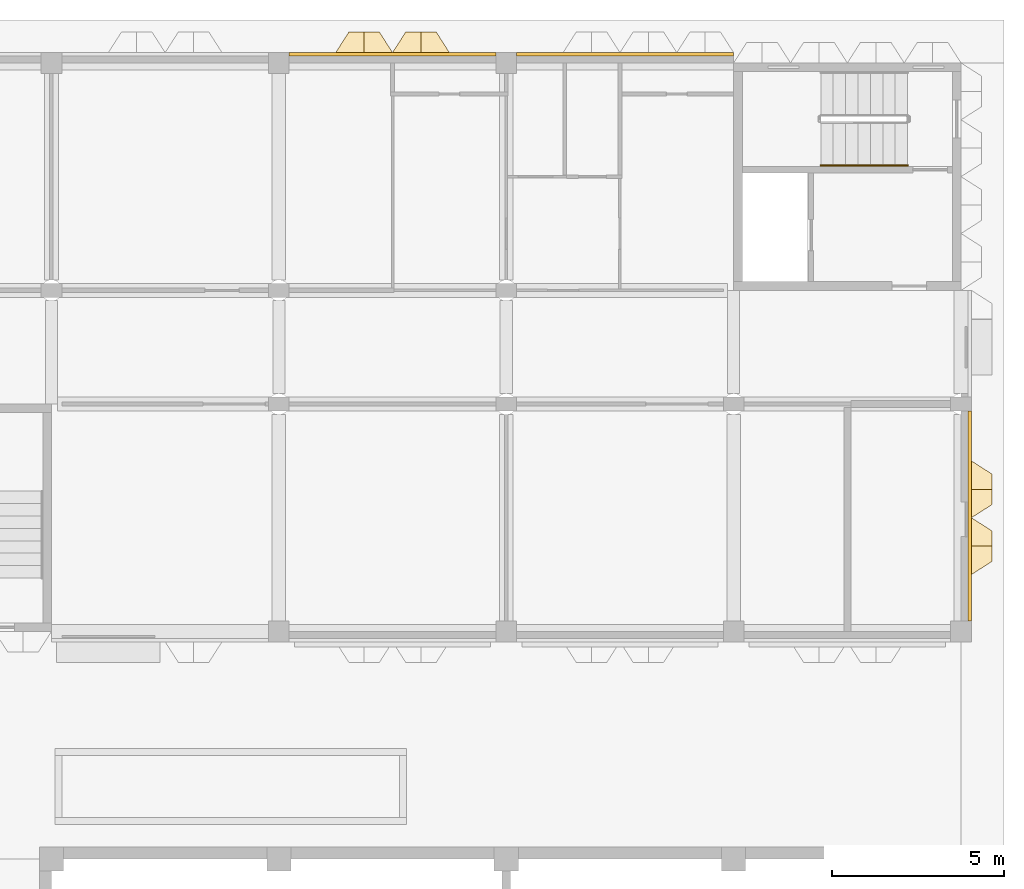
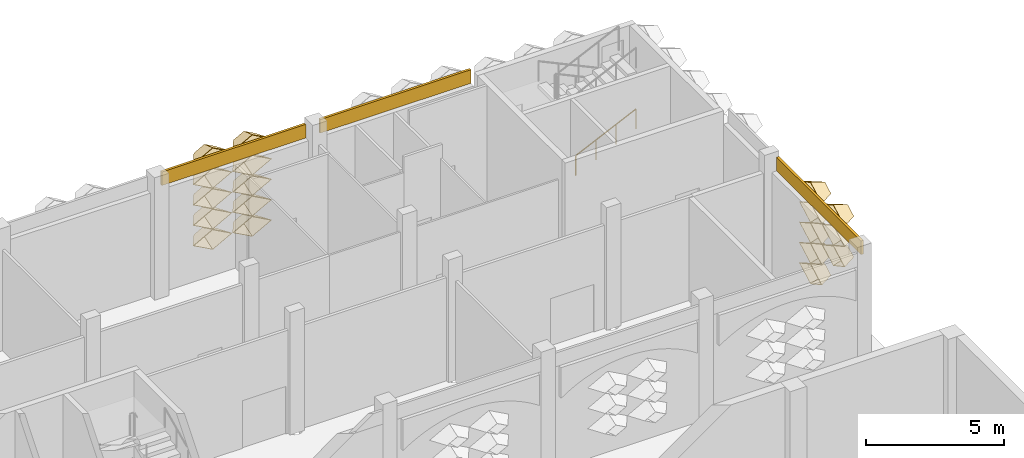
# One storey, part 81 of 85: 21 coverings, 1 railing.
"""IFC4 building model written with IfcOpenShell, lengths in metres."""

from ifc_helpers import new_model, entity, si_unit, direction, frame, frame_2d, origin, origin_2d, place, context, subcontext, project, spatial, rectangle, circle, extrude, material, layer, layer_set, type_object, element, save


model = new_model("IFC4")

# Units and contexts
model_context = context("Model", 3, precision=1e-05, world=origin(), true_north=direction((0.0, 1.0)))
body_context = subcontext(model_context, "Body", "Model", "MODEL_VIEW")
ifc_project = project(units=[si_unit("LENGTHUNIT", "METRE"), si_unit("AREAUNIT", "SQUARE_METRE"), si_unit("VOLUMEUNIT", "CUBIC_METRE"), si_unit("PLANEANGLEUNIT", "RADIAN"), si_unit("MASSUNIT", "GRAM", prefix="KILO")], contexts=[model_context])

# Site, building, storey
site_placement = place(None, origin())
site = spatial("IfcSite", under=ifc_project, at=site_placement, CompositionType="ELEMENT")
building_placement = place(site_placement, origin())
building = spatial("IfcBuilding", under=site, at=building_placement, Name="Lantern Court Research Institute", CompositionType="ELEMENT")
storey_placement = place(building_placement, origin())
storey = spatial("IfcBuildingStorey", under=building, at=storey_placement, Name="L00", CompositionType="ELEMENT", Elevation=0.0)

# Coverings
ifc_material_1 = material(Name="Aluminium composite panel with mineral wool insulation", Category="aluminium")
ifc_layer_1 = layer(ifc_material_1, 0.10009765625)
ifc_layer_set_1 = layer_set([ifc_layer_1], Name="Aluminium composite panel with mineral wool insulation")
covering_type_1 = type_object("IfcCoveringType", Name="Edge fascia panel 100 aluminium faced", PredefinedType="CLADDING", material=ifc_layer_set_1)
covering_1_placement = place(storey_placement, frame((79.449951171875, 88.89990234375, 4.550048828125), z_axis=(0.0, 0.0, 1.0), x_axis=(0.0, -1.0, 0.0)))
element("IfcCovering", 1, at=covering_1_placement, inside=storey, type_object=covering_type_1, Name="Edge fascia V6E L00 01", PredefinedType="CLADDING", context=body_context, shape_type="SweptSolid", body=[
    extrude(rectangle(XDim=6.099853515625, YDim=0.10009765625, at=frame_2d((3.0498046875, 0.0))), origin(), (0.0, 0.0, 1.0), 0.599853515625),
])
covering_2_placement = place(storey_placement, frame((59.699951171875, 99.25, 4.550048828125), z_axis=(0.0, 0.0, 1.0), x_axis=(1.0, 0.0, 0.0)))
element("IfcCovering", 2, at=covering_2_placement, inside=storey, type_object=covering_type_1, Name="Edge fascia V6N L00 09", PredefinedType="CLADDING", context=body_context, shape_type="SweptSolid", body=[
    extrude(rectangle(XDim=6.0, YDim=0.10009765625, at=frame_2d((3.0, 0.0))), origin(), (0.0, 0.0, 1.0), 0.599853515625),
])
covering_3_placement = place(storey_placement, frame((66.300048828125, 99.25, 4.550048828125), z_axis=(0.0, 0.0, 1.0), x_axis=(1.0, 0.0, 0.0)))
element("IfcCovering", 3, at=covering_3_placement, inside=storey, type_object=covering_type_1, Name="Edge fascia V6N L00 10", PredefinedType="CLADDING", context=body_context, shape_type="SweptSolid", body=[
    extrude(rectangle(XDim=6.300048828125, YDim=0.10009765625, at=frame_2d((3.14990234375, 0.0))), origin(), (0.0, 0.0, 1.0), 0.599853515625),
])
ifc_material_2 = material(Name="Anodised aluminium", Category="aluminium")
ifc_layer_2 = layer(ifc_material_2, 0.01611328125)
ifc_layer_set_2 = layer_set([ifc_layer_2], Name="Anodised aluminium")
covering_type_2 = type_object("IfcCoveringType", Name="Fin cassette 1650 x 900 x 600 aluminium", PredefinedType="CLADDING", material=ifc_layer_set_2)
covering_4_placement = place(storey_placement, frame((79.5, 86.625, 1.35009765625), z_axis=(1.0, 0.0, 0.0), x_axis=(0.0, 1.0, 0.0)))
cartesian_point_1 = entity("IfcCartesianPoint", [0.824951171875, 0.0])
cartesian_point_2 = entity("IfcCartesianPoint", [0.79150390625, 0.0])
cartesian_point_3 = entity("IfcCartesianPoint", [0.44189453125, 0.0])
cartesian_point_4 = entity("IfcCartesianPoint", [0.43359375, 0.0])
element("IfcCovering", 4, at=covering_4_placement, inside=storey, type_object=covering_type_2, Name="Fin cassette V6E-L00 2.53", PredefinedType="CLADDING", context=body_context, shape_type="SweptSolid", body=[
    entity("IfcExtrudedAreaSolidTapered", entity("IfcArbitraryProfileDefWithVoids", "AREA", None, entity("IfcPolyline", [cartesian_point_1, entity("IfcCartesianPoint", [0.0, 0.449951171875]), entity("IfcCartesianPoint", [-0.824951171875, 0.0]), entity("IfcCartesianPoint", [0.0, -0.449951171875]), cartesian_point_1]), [entity("IfcPolyline", [cartesian_point_2, entity("IfcCartesianPoint", [0.0, 0.431884765625]), entity("IfcCartesianPoint", [-0.79150390625, 0.0]), entity("IfcCartesianPoint", [0.0, -0.431884765625]), cartesian_point_2])]), entity("IfcAxis2Placement3D", entity("IfcCartesianPoint", [0.0, 0.0, 0.0])), entity("IfcDirection", [0.0, 0.0, 1.0]), 0.60009765625, entity("IfcArbitraryProfileDefWithVoids", "AREA", None, entity("IfcPolyline", [cartesian_point_3, entity("IfcCartesianPoint", [0.0, 0.240966796875]), entity("IfcCartesianPoint", [-0.44189453125, 0.0]), entity("IfcCartesianPoint", [0.0, -0.240966796875]), cartesian_point_3]), [entity("IfcPolyline", [cartesian_point_4, entity("IfcCartesianPoint", [0.0, 0.236572265625]), entity("IfcCartesianPoint", [-0.43359375, 0.0]), entity("IfcCartesianPoint", [0.0, -0.236572265625]), cartesian_point_4])])),
])
covering_5_placement = place(storey_placement, frame((79.5, 86.625, 2.25), z_axis=(1.0, 0.0, 0.0), x_axis=(0.0, 1.0, 0.0)))
cartesian_point_5 = entity("IfcCartesianPoint", [0.824951171875, 0.0])
cartesian_point_6 = entity("IfcCartesianPoint", [0.79150390625, 0.0])
cartesian_point_7 = entity("IfcCartesianPoint", [0.44189453125, 0.0])
cartesian_point_8 = entity("IfcCartesianPoint", [0.43359375, 0.0])
element("IfcCovering", 5, at=covering_5_placement, inside=storey, type_object=covering_type_2, Name="Fin cassette V6E-L00 3.53", PredefinedType="CLADDING", context=body_context, shape_type="SweptSolid", body=[
    entity("IfcExtrudedAreaSolidTapered", entity("IfcArbitraryProfileDefWithVoids", "AREA", None, entity("IfcPolyline", [cartesian_point_5, entity("IfcCartesianPoint", [0.0, 0.449951171875]), entity("IfcCartesianPoint", [-0.824951171875, 0.0]), entity("IfcCartesianPoint", [0.0, -0.449951171875]), cartesian_point_5]), [entity("IfcPolyline", [cartesian_point_6, entity("IfcCartesianPoint", [0.0, 0.431884765625]), entity("IfcCartesianPoint", [-0.79150390625, 0.0]), entity("IfcCartesianPoint", [0.0, -0.431884765625]), cartesian_point_6])]), entity("IfcAxis2Placement3D", entity("IfcCartesianPoint", [0.0, 0.0, 0.0])), entity("IfcDirection", [0.0, 0.0, 1.0]), 0.60009765625, entity("IfcArbitraryProfileDefWithVoids", "AREA", None, entity("IfcPolyline", [cartesian_point_7, entity("IfcCartesianPoint", [0.0, 0.240966796875]), entity("IfcCartesianPoint", [-0.44189453125, 0.0]), entity("IfcCartesianPoint", [0.0, -0.240966796875]), cartesian_point_7]), [entity("IfcPolyline", [cartesian_point_8, entity("IfcCartesianPoint", [0.0, 0.236572265625]), entity("IfcCartesianPoint", [-0.43359375, 0.0]), entity("IfcCartesianPoint", [0.0, -0.236572265625]), cartesian_point_8])])),
])
covering_6_placement = place(storey_placement, frame((79.5, 84.97509765625, 3.14990234375), z_axis=(1.0, 0.0, 0.0), x_axis=(0.0, 1.0, 0.0)))
cartesian_point_9 = entity("IfcCartesianPoint", [0.824951171875, 0.0])
cartesian_point_10 = entity("IfcCartesianPoint", [0.79150390625, 0.0])
cartesian_point_11 = entity("IfcCartesianPoint", [0.44189453125, 0.0])
cartesian_point_12 = entity("IfcCartesianPoint", [0.43359375, 0.0])
element("IfcCovering", 6, at=covering_6_placement, inside=storey, type_object=covering_type_2, Name="Fin cassette V6E-L00 4.52", PredefinedType="CLADDING", context=body_context, shape_type="SweptSolid", body=[
    entity("IfcExtrudedAreaSolidTapered", entity("IfcArbitraryProfileDefWithVoids", "AREA", None, entity("IfcPolyline", [cartesian_point_9, entity("IfcCartesianPoint", [0.0, 0.449951171875]), entity("IfcCartesianPoint", [-0.824951171875, 0.0]), entity("IfcCartesianPoint", [0.0, -0.449951171875]), cartesian_point_9]), [entity("IfcPolyline", [cartesian_point_10, entity("IfcCartesianPoint", [0.0, 0.431884765625]), entity("IfcCartesianPoint", [-0.79150390625, 0.0]), entity("IfcCartesianPoint", [0.0, -0.431884765625]), cartesian_point_10])]), entity("IfcAxis2Placement3D", entity("IfcCartesianPoint", [0.0, 0.0, 0.0])), entity("IfcDirection", [0.0, 0.0, 1.0]), 0.60009765625, entity("IfcArbitraryProfileDefWithVoids", "AREA", None, entity("IfcPolyline", [cartesian_point_11, entity("IfcCartesianPoint", [0.0, 0.240966796875]), entity("IfcCartesianPoint", [-0.44189453125, 0.0]), entity("IfcCartesianPoint", [0.0, -0.240966796875]), cartesian_point_11]), [entity("IfcPolyline", [cartesian_point_12, entity("IfcCartesianPoint", [0.0, 0.236572265625]), entity("IfcCartesianPoint", [-0.43359375, 0.0]), entity("IfcCartesianPoint", [0.0, -0.236572265625]), cartesian_point_12])])),
])
covering_7_placement = place(storey_placement, frame((79.5, 86.625, 3.14990234375), z_axis=(1.0, 0.0, 0.0), x_axis=(0.0, 1.0, 0.0)))
cartesian_point_13 = entity("IfcCartesianPoint", [0.824951171875, 0.0])
cartesian_point_14 = entity("IfcCartesianPoint", [0.79150390625, 0.0])
cartesian_point_15 = entity("IfcCartesianPoint", [0.44189453125, 0.0])
cartesian_point_16 = entity("IfcCartesianPoint", [0.43359375, 0.0])
element("IfcCovering", 7, at=covering_7_placement, inside=storey, type_object=covering_type_2, Name="Fin cassette V6E-L00 4.53", PredefinedType="CLADDING", context=body_context, shape_type="SweptSolid", body=[
    entity("IfcExtrudedAreaSolidTapered", entity("IfcArbitraryProfileDefWithVoids", "AREA", None, entity("IfcPolyline", [cartesian_point_13, entity("IfcCartesianPoint", [0.0, 0.449951171875]), entity("IfcCartesianPoint", [-0.824951171875, 0.0]), entity("IfcCartesianPoint", [0.0, -0.449951171875]), cartesian_point_13]), [entity("IfcPolyline", [cartesian_point_14, entity("IfcCartesianPoint", [0.0, 0.431884765625]), entity("IfcCartesianPoint", [-0.79150390625, 0.0]), entity("IfcCartesianPoint", [0.0, -0.431884765625]), cartesian_point_14])]), entity("IfcAxis2Placement3D", entity("IfcCartesianPoint", [0.0, 0.0, 0.0])), entity("IfcDirection", [0.0, 0.0, 1.0]), 0.60009765625, entity("IfcArbitraryProfileDefWithVoids", "AREA", None, entity("IfcPolyline", [cartesian_point_15, entity("IfcCartesianPoint", [0.0, 0.240966796875]), entity("IfcCartesianPoint", [-0.44189453125, 0.0]), entity("IfcCartesianPoint", [0.0, -0.240966796875]), cartesian_point_15]), [entity("IfcPolyline", [cartesian_point_16, entity("IfcCartesianPoint", [0.0, 0.236572265625]), entity("IfcCartesianPoint", [-0.43359375, 0.0]), entity("IfcCartesianPoint", [0.0, -0.236572265625]), cartesian_point_16])])),
])
covering_8_placement = place(storey_placement, frame((79.5, 84.97509765625, 4.050048828125), z_axis=(1.0, 0.0, 0.0), x_axis=(0.0, 1.0, 0.0)))
cartesian_point_17 = entity("IfcCartesianPoint", [0.824951171875, 0.0])
cartesian_point_18 = entity("IfcCartesianPoint", [0.79150390625, 0.0])
cartesian_point_19 = entity("IfcCartesianPoint", [0.44189453125, 0.0])
cartesian_point_20 = entity("IfcCartesianPoint", [0.43359375, 0.0])
element("IfcCovering", 8, at=covering_8_placement, inside=storey, type_object=covering_type_2, Name="Fin cassette V6E-L00 5.52", PredefinedType="CLADDING", context=body_context, shape_type="SweptSolid", body=[
    entity("IfcExtrudedAreaSolidTapered", entity("IfcArbitraryProfileDefWithVoids", "AREA", None, entity("IfcPolyline", [cartesian_point_17, entity("IfcCartesianPoint", [0.0, 0.449951171875]), entity("IfcCartesianPoint", [-0.824951171875, 0.0]), entity("IfcCartesianPoint", [0.0, -0.449951171875]), cartesian_point_17]), [entity("IfcPolyline", [cartesian_point_18, entity("IfcCartesianPoint", [0.0, 0.431884765625]), entity("IfcCartesianPoint", [-0.79150390625, 0.0]), entity("IfcCartesianPoint", [0.0, -0.431884765625]), cartesian_point_18])]), entity("IfcAxis2Placement3D", entity("IfcCartesianPoint", [0.0, 0.0, 0.0])), entity("IfcDirection", [0.0, 0.0, 1.0]), 0.60009765625, entity("IfcArbitraryProfileDefWithVoids", "AREA", None, entity("IfcPolyline", [cartesian_point_19, entity("IfcCartesianPoint", [0.0, 0.240966796875]), entity("IfcCartesianPoint", [-0.44189453125, 0.0]), entity("IfcCartesianPoint", [0.0, -0.240966796875]), cartesian_point_19]), [entity("IfcPolyline", [cartesian_point_20, entity("IfcCartesianPoint", [0.0, 0.236572265625]), entity("IfcCartesianPoint", [-0.43359375, 0.0]), entity("IfcCartesianPoint", [0.0, -0.236572265625]), cartesian_point_20])])),
])
covering_9_placement = place(storey_placement, frame((79.5, 86.625, 4.050048828125), z_axis=(1.0, 0.0, 0.0), x_axis=(0.0, 1.0, 0.0)))
cartesian_point_21 = entity("IfcCartesianPoint", [0.824951171875, 0.0])
cartesian_point_22 = entity("IfcCartesianPoint", [0.79150390625, 0.0])
cartesian_point_23 = entity("IfcCartesianPoint", [0.44189453125, 0.0])
cartesian_point_24 = entity("IfcCartesianPoint", [0.43359375, 0.0])
element("IfcCovering", 9, at=covering_9_placement, inside=storey, type_object=covering_type_2, Name="Fin cassette V6E-L00 5.53", PredefinedType="CLADDING", context=body_context, shape_type="SweptSolid", body=[
    entity("IfcExtrudedAreaSolidTapered", entity("IfcArbitraryProfileDefWithVoids", "AREA", None, entity("IfcPolyline", [cartesian_point_21, entity("IfcCartesianPoint", [0.0, 0.449951171875]), entity("IfcCartesianPoint", [-0.824951171875, 0.0]), entity("IfcCartesianPoint", [0.0, -0.449951171875]), cartesian_point_21]), [entity("IfcPolyline", [cartesian_point_22, entity("IfcCartesianPoint", [0.0, 0.431884765625]), entity("IfcCartesianPoint", [-0.79150390625, 0.0]), entity("IfcCartesianPoint", [0.0, -0.431884765625]), cartesian_point_22])]), entity("IfcAxis2Placement3D", entity("IfcCartesianPoint", [0.0, 0.0, 0.0])), entity("IfcDirection", [0.0, 0.0, 1.0]), 0.60009765625, entity("IfcArbitraryProfileDefWithVoids", "AREA", None, entity("IfcPolyline", [cartesian_point_23, entity("IfcCartesianPoint", [0.0, 0.240966796875]), entity("IfcCartesianPoint", [-0.44189453125, 0.0]), entity("IfcCartesianPoint", [0.0, -0.240966796875]), cartesian_point_23]), [entity("IfcPolyline", [cartesian_point_24, entity("IfcCartesianPoint", [0.0, 0.236572265625]), entity("IfcCartesianPoint", [-0.43359375, 0.0]), entity("IfcCartesianPoint", [0.0, -0.236572265625]), cartesian_point_24])])),
])
covering_10_placement = place(storey_placement, frame((79.5, 84.97509765625, 4.949951171875), z_axis=(1.0, 0.0, 0.0), x_axis=(0.0, 1.0, 0.0)))
cartesian_point_25 = entity("IfcCartesianPoint", [0.824951171875, 0.0])
cartesian_point_26 = entity("IfcCartesianPoint", [0.79150390625, 0.0])
cartesian_point_27 = entity("IfcCartesianPoint", [0.44189453125, 0.0])
cartesian_point_28 = entity("IfcCartesianPoint", [0.43359375, 0.0])
element("IfcCovering", 10, at=covering_10_placement, inside=storey, type_object=covering_type_2, Name="Fin cassette V6E-L00 6.52", PredefinedType="CLADDING", context=body_context, shape_type="SweptSolid", body=[
    entity("IfcExtrudedAreaSolidTapered", entity("IfcArbitraryProfileDefWithVoids", "AREA", None, entity("IfcPolyline", [cartesian_point_25, entity("IfcCartesianPoint", [0.0, 0.449951171875]), entity("IfcCartesianPoint", [-0.824951171875, 0.0]), entity("IfcCartesianPoint", [0.0, -0.449951171875]), cartesian_point_25]), [entity("IfcPolyline", [cartesian_point_26, entity("IfcCartesianPoint", [0.0, 0.431884765625]), entity("IfcCartesianPoint", [-0.79150390625, 0.0]), entity("IfcCartesianPoint", [0.0, -0.431884765625]), cartesian_point_26])]), entity("IfcAxis2Placement3D", entity("IfcCartesianPoint", [0.0, 0.0, 0.0])), entity("IfcDirection", [0.0, 0.0, 1.0]), 0.60009765625, entity("IfcArbitraryProfileDefWithVoids", "AREA", None, entity("IfcPolyline", [cartesian_point_27, entity("IfcCartesianPoint", [0.0, 0.240966796875]), entity("IfcCartesianPoint", [-0.44189453125, 0.0]), entity("IfcCartesianPoint", [0.0, -0.240966796875]), cartesian_point_27]), [entity("IfcPolyline", [cartesian_point_28, entity("IfcCartesianPoint", [0.0, 0.236572265625]), entity("IfcCartesianPoint", [-0.43359375, 0.0]), entity("IfcCartesianPoint", [0.0, -0.236572265625]), cartesian_point_28])])),
])
covering_11_placement = place(storey_placement, frame((79.5, 86.625, 4.949951171875), z_axis=(1.0, 0.0, 0.0), x_axis=(0.0, 1.0, 0.0)))
cartesian_point_29 = entity("IfcCartesianPoint", [0.824951171875, 0.0])
cartesian_point_30 = entity("IfcCartesianPoint", [0.79150390625, 0.0])
cartesian_point_31 = entity("IfcCartesianPoint", [0.44189453125, 0.0])
cartesian_point_32 = entity("IfcCartesianPoint", [0.43359375, 0.0])
element("IfcCovering", 11, at=covering_11_placement, inside=storey, type_object=covering_type_2, Name="Fin cassette V6E-L00 6.53", PredefinedType="CLADDING", context=body_context, shape_type="SweptSolid", body=[
    entity("IfcExtrudedAreaSolidTapered", entity("IfcArbitraryProfileDefWithVoids", "AREA", None, entity("IfcPolyline", [cartesian_point_29, entity("IfcCartesianPoint", [0.0, 0.449951171875]), entity("IfcCartesianPoint", [-0.824951171875, 0.0]), entity("IfcCartesianPoint", [0.0, -0.449951171875]), cartesian_point_29]), [entity("IfcPolyline", [cartesian_point_30, entity("IfcCartesianPoint", [0.0, 0.431884765625]), entity("IfcCartesianPoint", [-0.79150390625, 0.0]), entity("IfcCartesianPoint", [0.0, -0.431884765625]), cartesian_point_30])]), entity("IfcAxis2Placement3D", entity("IfcCartesianPoint", [0.0, 0.0, 0.0])), entity("IfcDirection", [0.0, 0.0, 1.0]), 0.60009765625, entity("IfcArbitraryProfileDefWithVoids", "AREA", None, entity("IfcPolyline", [cartesian_point_31, entity("IfcCartesianPoint", [0.0, 0.240966796875]), entity("IfcCartesianPoint", [-0.44189453125, 0.0]), entity("IfcCartesianPoint", [0.0, -0.240966796875]), cartesian_point_31]), [entity("IfcPolyline", [cartesian_point_32, entity("IfcCartesianPoint", [0.0, 0.236572265625]), entity("IfcCartesianPoint", [-0.43359375, 0.0]), entity("IfcCartesianPoint", [0.0, -0.236572265625]), cartesian_point_32])])),
])
covering_12_placement = place(storey_placement, frame((61.875, 99.300048828125, 1.35009765625), z_axis=(0.0, 1.0, 0.0), x_axis=(-1.0, 0.0, 0.0)))
cartesian_point_33 = entity("IfcCartesianPoint", [0.824951171875, 0.0])
cartesian_point_34 = entity("IfcCartesianPoint", [0.79150390625, 0.0])
cartesian_point_35 = entity("IfcCartesianPoint", [0.44189453125, 0.0])
cartesian_point_36 = entity("IfcCartesianPoint", [0.43359375, 0.0])
element("IfcCovering", 12, at=covering_12_placement, inside=storey, type_object=covering_type_2, Name="Fin cassette V6N-L00 2.38", PredefinedType="CLADDING", context=body_context, shape_type="SweptSolid", body=[
    entity("IfcExtrudedAreaSolidTapered", entity("IfcArbitraryProfileDefWithVoids", "AREA", None, entity("IfcPolyline", [cartesian_point_33, entity("IfcCartesianPoint", [0.0, 0.449951171875]), entity("IfcCartesianPoint", [-0.824951171875, 0.0]), entity("IfcCartesianPoint", [0.0, -0.449951171875]), cartesian_point_33]), [entity("IfcPolyline", [cartesian_point_34, entity("IfcCartesianPoint", [0.0, 0.431884765625]), entity("IfcCartesianPoint", [-0.79150390625, 0.0]), entity("IfcCartesianPoint", [0.0, -0.431884765625]), cartesian_point_34])]), entity("IfcAxis2Placement3D", entity("IfcCartesianPoint", [0.0, 0.0, 0.0])), entity("IfcDirection", [0.0, 0.0, 1.0]), 0.60009765625, entity("IfcArbitraryProfileDefWithVoids", "AREA", None, entity("IfcPolyline", [cartesian_point_35, entity("IfcCartesianPoint", [0.0, 0.240966796875]), entity("IfcCartesianPoint", [-0.44189453125, 0.0]), entity("IfcCartesianPoint", [0.0, -0.240966796875]), cartesian_point_35]), [entity("IfcPolyline", [cartesian_point_36, entity("IfcCartesianPoint", [0.0, 0.236572265625]), entity("IfcCartesianPoint", [-0.43359375, 0.0]), entity("IfcCartesianPoint", [0.0, -0.236572265625]), cartesian_point_36])])),
])
covering_13_placement = place(storey_placement, frame((63.52490234375, 99.300048828125, 1.35009765625), z_axis=(0.0, 1.0, 0.0), x_axis=(-1.0, 0.0, 0.0)))
cartesian_point_37 = entity("IfcCartesianPoint", [0.824951171875, 0.0])
cartesian_point_38 = entity("IfcCartesianPoint", [0.79150390625, 0.0])
cartesian_point_39 = entity("IfcCartesianPoint", [0.44189453125, 0.0])
cartesian_point_40 = entity("IfcCartesianPoint", [0.43359375, 0.0])
element("IfcCovering", 13, at=covering_13_placement, inside=storey, type_object=covering_type_2, Name="Fin cassette V6N-L00 2.39", PredefinedType="CLADDING", context=body_context, shape_type="SweptSolid", body=[
    entity("IfcExtrudedAreaSolidTapered", entity("IfcArbitraryProfileDefWithVoids", "AREA", None, entity("IfcPolyline", [cartesian_point_37, entity("IfcCartesianPoint", [0.0, 0.449951171875]), entity("IfcCartesianPoint", [-0.824951171875, 0.0]), entity("IfcCartesianPoint", [0.0, -0.449951171875]), cartesian_point_37]), [entity("IfcPolyline", [cartesian_point_38, entity("IfcCartesianPoint", [0.0, 0.431884765625]), entity("IfcCartesianPoint", [-0.79150390625, 0.0]), entity("IfcCartesianPoint", [0.0, -0.431884765625]), cartesian_point_38])]), entity("IfcAxis2Placement3D", entity("IfcCartesianPoint", [0.0, 0.0, 0.0])), entity("IfcDirection", [0.0, 0.0, 1.0]), 0.60009765625, entity("IfcArbitraryProfileDefWithVoids", "AREA", None, entity("IfcPolyline", [cartesian_point_39, entity("IfcCartesianPoint", [0.0, 0.240966796875]), entity("IfcCartesianPoint", [-0.44189453125, 0.0]), entity("IfcCartesianPoint", [0.0, -0.240966796875]), cartesian_point_39]), [entity("IfcPolyline", [cartesian_point_40, entity("IfcCartesianPoint", [0.0, 0.236572265625]), entity("IfcCartesianPoint", [-0.43359375, 0.0]), entity("IfcCartesianPoint", [0.0, -0.236572265625]), cartesian_point_40])])),
])
covering_14_placement = place(storey_placement, frame((61.875, 99.300048828125, 2.25), z_axis=(0.0, 1.0, 0.0), x_axis=(-1.0, 0.0, 0.0)))
cartesian_point_41 = entity("IfcCartesianPoint", [0.824951171875, 0.0])
cartesian_point_42 = entity("IfcCartesianPoint", [0.79150390625, 0.0])
cartesian_point_43 = entity("IfcCartesianPoint", [0.44189453125, 0.0])
cartesian_point_44 = entity("IfcCartesianPoint", [0.43359375, 0.0])
element("IfcCovering", 14, at=covering_14_placement, inside=storey, type_object=covering_type_2, Name="Fin cassette V6N-L00 3.38", PredefinedType="CLADDING", context=body_context, shape_type="SweptSolid", body=[
    entity("IfcExtrudedAreaSolidTapered", entity("IfcArbitraryProfileDefWithVoids", "AREA", None, entity("IfcPolyline", [cartesian_point_41, entity("IfcCartesianPoint", [0.0, 0.449951171875]), entity("IfcCartesianPoint", [-0.824951171875, 0.0]), entity("IfcCartesianPoint", [0.0, -0.449951171875]), cartesian_point_41]), [entity("IfcPolyline", [cartesian_point_42, entity("IfcCartesianPoint", [0.0, 0.431884765625]), entity("IfcCartesianPoint", [-0.79150390625, 0.0]), entity("IfcCartesianPoint", [0.0, -0.431884765625]), cartesian_point_42])]), entity("IfcAxis2Placement3D", entity("IfcCartesianPoint", [0.0, 0.0, 0.0])), entity("IfcDirection", [0.0, 0.0, 1.0]), 0.60009765625, entity("IfcArbitraryProfileDefWithVoids", "AREA", None, entity("IfcPolyline", [cartesian_point_43, entity("IfcCartesianPoint", [0.0, 0.240966796875]), entity("IfcCartesianPoint", [-0.44189453125, 0.0]), entity("IfcCartesianPoint", [0.0, -0.240966796875]), cartesian_point_43]), [entity("IfcPolyline", [cartesian_point_44, entity("IfcCartesianPoint", [0.0, 0.236572265625]), entity("IfcCartesianPoint", [-0.43359375, 0.0]), entity("IfcCartesianPoint", [0.0, -0.236572265625]), cartesian_point_44])])),
])
covering_15_placement = place(storey_placement, frame((63.52490234375, 99.300048828125, 2.25), z_axis=(0.0, 1.0, 0.0), x_axis=(-1.0, 0.0, 0.0)))
cartesian_point_45 = entity("IfcCartesianPoint", [0.824951171875, 0.0])
cartesian_point_46 = entity("IfcCartesianPoint", [0.79150390625, 0.0])
cartesian_point_47 = entity("IfcCartesianPoint", [0.44189453125, 0.0])
cartesian_point_48 = entity("IfcCartesianPoint", [0.43359375, 0.0])
element("IfcCovering", 15, at=covering_15_placement, inside=storey, type_object=covering_type_2, Name="Fin cassette V6N-L00 3.39", PredefinedType="CLADDING", context=body_context, shape_type="SweptSolid", body=[
    entity("IfcExtrudedAreaSolidTapered", entity("IfcArbitraryProfileDefWithVoids", "AREA", None, entity("IfcPolyline", [cartesian_point_45, entity("IfcCartesianPoint", [0.0, 0.449951171875]), entity("IfcCartesianPoint", [-0.824951171875, 0.0]), entity("IfcCartesianPoint", [0.0, -0.449951171875]), cartesian_point_45]), [entity("IfcPolyline", [cartesian_point_46, entity("IfcCartesianPoint", [0.0, 0.431884765625]), entity("IfcCartesianPoint", [-0.79150390625, 0.0]), entity("IfcCartesianPoint", [0.0, -0.431884765625]), cartesian_point_46])]), entity("IfcAxis2Placement3D", entity("IfcCartesianPoint", [0.0, 0.0, 0.0])), entity("IfcDirection", [0.0, 0.0, 1.0]), 0.60009765625, entity("IfcArbitraryProfileDefWithVoids", "AREA", None, entity("IfcPolyline", [cartesian_point_47, entity("IfcCartesianPoint", [0.0, 0.240966796875]), entity("IfcCartesianPoint", [-0.44189453125, 0.0]), entity("IfcCartesianPoint", [0.0, -0.240966796875]), cartesian_point_47]), [entity("IfcPolyline", [cartesian_point_48, entity("IfcCartesianPoint", [0.0, 0.236572265625]), entity("IfcCartesianPoint", [-0.43359375, 0.0]), entity("IfcCartesianPoint", [0.0, -0.236572265625]), cartesian_point_48])])),
])
covering_16_placement = place(storey_placement, frame((61.875, 99.300048828125, 3.14990234375), z_axis=(0.0, 1.0, 0.0), x_axis=(-1.0, 0.0, 0.0)))
cartesian_point_49 = entity("IfcCartesianPoint", [0.824951171875, 0.0])
cartesian_point_50 = entity("IfcCartesianPoint", [0.79150390625, 0.0])
cartesian_point_51 = entity("IfcCartesianPoint", [0.44189453125, 0.0])
cartesian_point_52 = entity("IfcCartesianPoint", [0.43359375, 0.0])
element("IfcCovering", 16, at=covering_16_placement, inside=storey, type_object=covering_type_2, Name="Fin cassette V6N-L00 4.38", PredefinedType="CLADDING", context=body_context, shape_type="SweptSolid", body=[
    entity("IfcExtrudedAreaSolidTapered", entity("IfcArbitraryProfileDefWithVoids", "AREA", None, entity("IfcPolyline", [cartesian_point_49, entity("IfcCartesianPoint", [0.0, 0.449951171875]), entity("IfcCartesianPoint", [-0.824951171875, 0.0]), entity("IfcCartesianPoint", [0.0, -0.449951171875]), cartesian_point_49]), [entity("IfcPolyline", [cartesian_point_50, entity("IfcCartesianPoint", [0.0, 0.431884765625]), entity("IfcCartesianPoint", [-0.79150390625, 0.0]), entity("IfcCartesianPoint", [0.0, -0.431884765625]), cartesian_point_50])]), entity("IfcAxis2Placement3D", entity("IfcCartesianPoint", [0.0, 0.0, 0.0])), entity("IfcDirection", [0.0, 0.0, 1.0]), 0.60009765625, entity("IfcArbitraryProfileDefWithVoids", "AREA", None, entity("IfcPolyline", [cartesian_point_51, entity("IfcCartesianPoint", [0.0, 0.240966796875]), entity("IfcCartesianPoint", [-0.44189453125, 0.0]), entity("IfcCartesianPoint", [0.0, -0.240966796875]), cartesian_point_51]), [entity("IfcPolyline", [cartesian_point_52, entity("IfcCartesianPoint", [0.0, 0.236572265625]), entity("IfcCartesianPoint", [-0.43359375, 0.0]), entity("IfcCartesianPoint", [0.0, -0.236572265625]), cartesian_point_52])])),
])
covering_17_placement = place(storey_placement, frame((63.52490234375, 99.300048828125, 3.14990234375), z_axis=(0.0, 1.0, 0.0), x_axis=(-1.0, 0.0, 0.0)))
cartesian_point_53 = entity("IfcCartesianPoint", [0.824951171875, 0.0])
cartesian_point_54 = entity("IfcCartesianPoint", [0.79150390625, 0.0])
cartesian_point_55 = entity("IfcCartesianPoint", [0.44189453125, 0.0])
cartesian_point_56 = entity("IfcCartesianPoint", [0.43359375, 0.0])
element("IfcCovering", 17, at=covering_17_placement, inside=storey, type_object=covering_type_2, Name="Fin cassette V6N-L00 4.39", PredefinedType="CLADDING", context=body_context, shape_type="SweptSolid", body=[
    entity("IfcExtrudedAreaSolidTapered", entity("IfcArbitraryProfileDefWithVoids", "AREA", None, entity("IfcPolyline", [cartesian_point_53, entity("IfcCartesianPoint", [0.0, 0.449951171875]), entity("IfcCartesianPoint", [-0.824951171875, 0.0]), entity("IfcCartesianPoint", [0.0, -0.449951171875]), cartesian_point_53]), [entity("IfcPolyline", [cartesian_point_54, entity("IfcCartesianPoint", [0.0, 0.431884765625]), entity("IfcCartesianPoint", [-0.79150390625, 0.0]), entity("IfcCartesianPoint", [0.0, -0.431884765625]), cartesian_point_54])]), entity("IfcAxis2Placement3D", entity("IfcCartesianPoint", [0.0, 0.0, 0.0])), entity("IfcDirection", [0.0, 0.0, 1.0]), 0.60009765625, entity("IfcArbitraryProfileDefWithVoids", "AREA", None, entity("IfcPolyline", [cartesian_point_55, entity("IfcCartesianPoint", [0.0, 0.240966796875]), entity("IfcCartesianPoint", [-0.44189453125, 0.0]), entity("IfcCartesianPoint", [0.0, -0.240966796875]), cartesian_point_55]), [entity("IfcPolyline", [cartesian_point_56, entity("IfcCartesianPoint", [0.0, 0.236572265625]), entity("IfcCartesianPoint", [-0.43359375, 0.0]), entity("IfcCartesianPoint", [0.0, -0.236572265625]), cartesian_point_56])])),
])
covering_18_placement = place(storey_placement, frame((61.875, 99.300048828125, 4.050048828125), z_axis=(0.0, 1.0, 0.0), x_axis=(-1.0, 0.0, 0.0)))
cartesian_point_57 = entity("IfcCartesianPoint", [0.824951171875, 0.0])
cartesian_point_58 = entity("IfcCartesianPoint", [0.79150390625, 0.0])
cartesian_point_59 = entity("IfcCartesianPoint", [0.44189453125, 0.0])
cartesian_point_60 = entity("IfcCartesianPoint", [0.43359375, 0.0])
element("IfcCovering", 18, at=covering_18_placement, inside=storey, type_object=covering_type_2, Name="Fin cassette V6N-L00 5.38", PredefinedType="CLADDING", context=body_context, shape_type="SweptSolid", body=[
    entity("IfcExtrudedAreaSolidTapered", entity("IfcArbitraryProfileDefWithVoids", "AREA", None, entity("IfcPolyline", [cartesian_point_57, entity("IfcCartesianPoint", [0.0, 0.449951171875]), entity("IfcCartesianPoint", [-0.824951171875, 0.0]), entity("IfcCartesianPoint", [0.0, -0.449951171875]), cartesian_point_57]), [entity("IfcPolyline", [cartesian_point_58, entity("IfcCartesianPoint", [0.0, 0.431884765625]), entity("IfcCartesianPoint", [-0.79150390625, 0.0]), entity("IfcCartesianPoint", [0.0, -0.431884765625]), cartesian_point_58])]), entity("IfcAxis2Placement3D", entity("IfcCartesianPoint", [0.0, 0.0, 0.0])), entity("IfcDirection", [0.0, 0.0, 1.0]), 0.60009765625, entity("IfcArbitraryProfileDefWithVoids", "AREA", None, entity("IfcPolyline", [cartesian_point_59, entity("IfcCartesianPoint", [0.0, 0.240966796875]), entity("IfcCartesianPoint", [-0.44189453125, 0.0]), entity("IfcCartesianPoint", [0.0, -0.240966796875]), cartesian_point_59]), [entity("IfcPolyline", [cartesian_point_60, entity("IfcCartesianPoint", [0.0, 0.236572265625]), entity("IfcCartesianPoint", [-0.43359375, 0.0]), entity("IfcCartesianPoint", [0.0, -0.236572265625]), cartesian_point_60])])),
])
covering_19_placement = place(storey_placement, frame((63.52490234375, 99.300048828125, 4.050048828125), z_axis=(0.0, 1.0, 0.0), x_axis=(-1.0, 0.0, 0.0)))
cartesian_point_61 = entity("IfcCartesianPoint", [0.824951171875, 0.0])
cartesian_point_62 = entity("IfcCartesianPoint", [0.79150390625, 0.0])
cartesian_point_63 = entity("IfcCartesianPoint", [0.44189453125, 0.0])
cartesian_point_64 = entity("IfcCartesianPoint", [0.43359375, 0.0])
element("IfcCovering", 19, at=covering_19_placement, inside=storey, type_object=covering_type_2, Name="Fin cassette V6N-L00 5.39", PredefinedType="CLADDING", context=body_context, shape_type="SweptSolid", body=[
    entity("IfcExtrudedAreaSolidTapered", entity("IfcArbitraryProfileDefWithVoids", "AREA", None, entity("IfcPolyline", [cartesian_point_61, entity("IfcCartesianPoint", [0.0, 0.449951171875]), entity("IfcCartesianPoint", [-0.824951171875, 0.0]), entity("IfcCartesianPoint", [0.0, -0.449951171875]), cartesian_point_61]), [entity("IfcPolyline", [cartesian_point_62, entity("IfcCartesianPoint", [0.0, 0.431884765625]), entity("IfcCartesianPoint", [-0.79150390625, 0.0]), entity("IfcCartesianPoint", [0.0, -0.431884765625]), cartesian_point_62])]), entity("IfcAxis2Placement3D", entity("IfcCartesianPoint", [0.0, 0.0, 0.0])), entity("IfcDirection", [0.0, 0.0, 1.0]), 0.60009765625, entity("IfcArbitraryProfileDefWithVoids", "AREA", None, entity("IfcPolyline", [cartesian_point_63, entity("IfcCartesianPoint", [0.0, 0.240966796875]), entity("IfcCartesianPoint", [-0.44189453125, 0.0]), entity("IfcCartesianPoint", [0.0, -0.240966796875]), cartesian_point_63]), [entity("IfcPolyline", [cartesian_point_64, entity("IfcCartesianPoint", [0.0, 0.236572265625]), entity("IfcCartesianPoint", [-0.43359375, 0.0]), entity("IfcCartesianPoint", [0.0, -0.236572265625]), cartesian_point_64])])),
])
covering_20_placement = place(storey_placement, frame((61.875, 99.300048828125, 4.949951171875), z_axis=(0.0, 1.0, 0.0), x_axis=(-1.0, 0.0, 0.0)))
cartesian_point_65 = entity("IfcCartesianPoint", [0.824951171875, 0.0])
cartesian_point_66 = entity("IfcCartesianPoint", [0.79150390625, 0.0])
cartesian_point_67 = entity("IfcCartesianPoint", [0.44189453125, 0.0])
cartesian_point_68 = entity("IfcCartesianPoint", [0.43359375, 0.0])
element("IfcCovering", 20, at=covering_20_placement, inside=storey, type_object=covering_type_2, Name="Fin cassette V6N-L00 6.38", PredefinedType="CLADDING", context=body_context, shape_type="SweptSolid", body=[
    entity("IfcExtrudedAreaSolidTapered", entity("IfcArbitraryProfileDefWithVoids", "AREA", None, entity("IfcPolyline", [cartesian_point_65, entity("IfcCartesianPoint", [0.0, 0.449951171875]), entity("IfcCartesianPoint", [-0.824951171875, 0.0]), entity("IfcCartesianPoint", [0.0, -0.449951171875]), cartesian_point_65]), [entity("IfcPolyline", [cartesian_point_66, entity("IfcCartesianPoint", [0.0, 0.431884765625]), entity("IfcCartesianPoint", [-0.79150390625, 0.0]), entity("IfcCartesianPoint", [0.0, -0.431884765625]), cartesian_point_66])]), entity("IfcAxis2Placement3D", entity("IfcCartesianPoint", [0.0, 0.0, 0.0])), entity("IfcDirection", [0.0, 0.0, 1.0]), 0.60009765625, entity("IfcArbitraryProfileDefWithVoids", "AREA", None, entity("IfcPolyline", [cartesian_point_67, entity("IfcCartesianPoint", [0.0, 0.240966796875]), entity("IfcCartesianPoint", [-0.44189453125, 0.0]), entity("IfcCartesianPoint", [0.0, -0.240966796875]), cartesian_point_67]), [entity("IfcPolyline", [cartesian_point_68, entity("IfcCartesianPoint", [0.0, 0.236572265625]), entity("IfcCartesianPoint", [-0.43359375, 0.0]), entity("IfcCartesianPoint", [0.0, -0.236572265625]), cartesian_point_68])])),
])
covering_21_placement = place(storey_placement, frame((63.52490234375, 99.300048828125, 4.949951171875), z_axis=(0.0, 1.0, 0.0), x_axis=(-1.0, 0.0, 0.0)))
cartesian_point_69 = entity("IfcCartesianPoint", [0.824951171875, 0.0])
cartesian_point_70 = entity("IfcCartesianPoint", [0.79150390625, 0.0])
cartesian_point_71 = entity("IfcCartesianPoint", [0.44189453125, 0.0])
cartesian_point_72 = entity("IfcCartesianPoint", [0.43359375, 0.0])
element("IfcCovering", 21, at=covering_21_placement, inside=storey, type_object=covering_type_2, Name="Fin cassette V6N-L00 6.39", PredefinedType="CLADDING", context=body_context, shape_type="SweptSolid", body=[
    entity("IfcExtrudedAreaSolidTapered", entity("IfcArbitraryProfileDefWithVoids", "AREA", None, entity("IfcPolyline", [cartesian_point_69, entity("IfcCartesianPoint", [0.0, 0.449951171875]), entity("IfcCartesianPoint", [-0.824951171875, 0.0]), entity("IfcCartesianPoint", [0.0, -0.449951171875]), cartesian_point_69]), [entity("IfcPolyline", [cartesian_point_70, entity("IfcCartesianPoint", [0.0, 0.431884765625]), entity("IfcCartesianPoint", [-0.79150390625, 0.0]), entity("IfcCartesianPoint", [0.0, -0.431884765625]), cartesian_point_70])]), entity("IfcAxis2Placement3D", entity("IfcCartesianPoint", [0.0, 0.0, 0.0])), entity("IfcDirection", [0.0, 0.0, 1.0]), 0.60009765625, entity("IfcArbitraryProfileDefWithVoids", "AREA", None, entity("IfcPolyline", [cartesian_point_71, entity("IfcCartesianPoint", [0.0, 0.240966796875]), entity("IfcCartesianPoint", [-0.44189453125, 0.0]), entity("IfcCartesianPoint", [0.0, -0.240966796875]), cartesian_point_71]), [entity("IfcPolyline", [cartesian_point_72, entity("IfcCartesianPoint", [0.0, 0.236572265625]), entity("IfcCartesianPoint", [-0.43359375, 0.0]), entity("IfcCartesianPoint", [0.0, -0.236572265625]), cartesian_point_72])])),
])

# Railing
ifc_material_3 = material(Name="Stainless steel 316", Category="steel")
railing_type = type_object("IfcRailingType", Name="Stair handrail 900 steel", PredefinedType="HANDRAIL", material=ifc_material_3)
railing_placement = place(storey_placement, frame((75.1298828125, 96.02490234375, 1.518798828125)))
element("IfcRailing", 22, at=railing_placement, inside=storey, type_object=railing_type, Name="L00 ST-W3 stair handrail 2", PredefinedType="HANDRAIL", context=body_context, shape_type="SweptSolid", body=[
    extrude(circle(Radius=0.02392578125, at=origin_2d()), frame((0.0, 0.0, 0.8759765625), z_axis=(0.905473684625, 0.0, 0.424402410988), x_axis=(0.0, 1.0, 0.0)), (0.0, 0.0, 1.0), 2.783203125),
    extrude(circle(Radius=0.02099609375, at=origin_2d()), origin(), (0.0, 0.0, 1.0), 0.851806640625),
    extrude(circle(Radius=0.02099609375, at=origin_2d()), frame((0.840087890625, 0.0, 0.393798828125)), (0.0, 0.0, 1.0), 0.851806640625),
    extrude(circle(Radius=0.02099609375, at=origin_2d()), frame((1.679931640625, 0.0, 0.787353515625)), (0.0, 0.0, 1.0), 0.851806640625),
    extrude(circle(Radius=0.02099609375, at=origin_2d()), frame((2.52001953125, 0.0, 1.18115234375)), (0.0, 0.0, 1.0), 0.851806640625),
])

save(model, "model.ifc")
